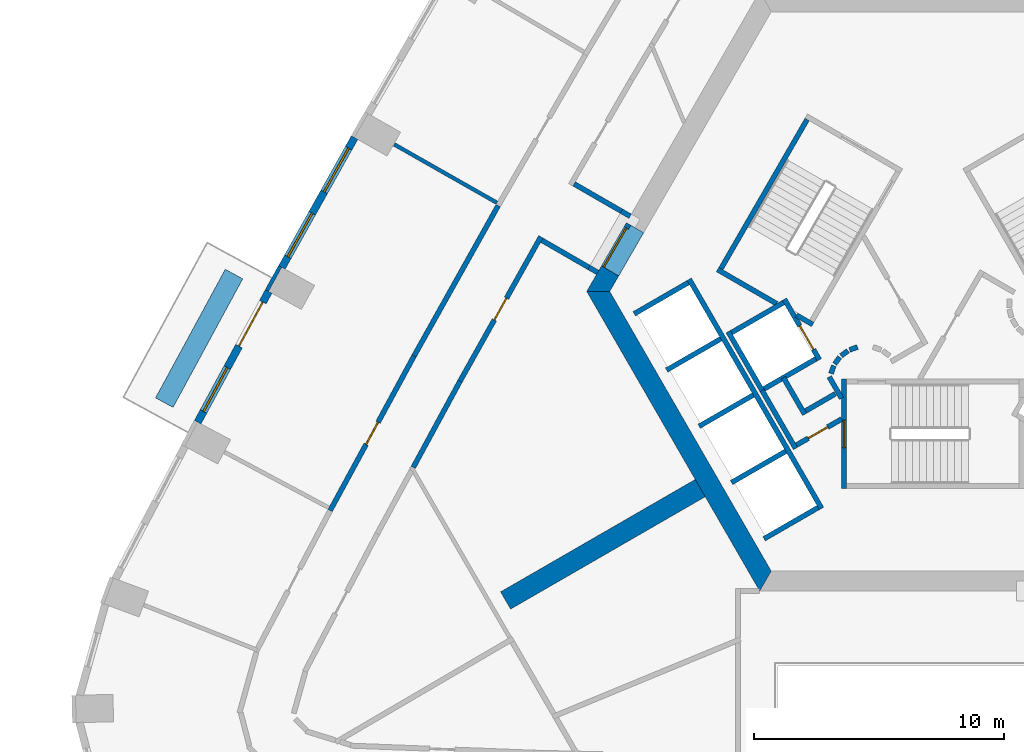
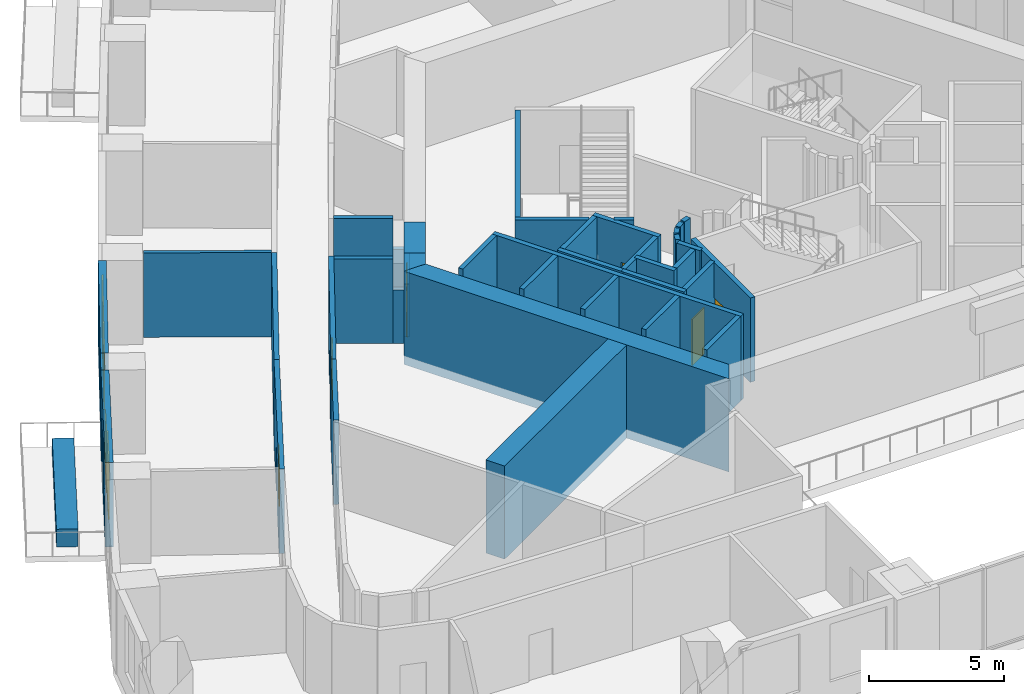
# One storey, part 5 of 14: 41 walls, 7 doors, 3 windows, 10 openings.
"""IFC4 building model written with IfcOpenShell, lengths in metres."""

from ifc_helpers import new_model, si_unit, direction, frame, frame_2d, origin, place, context, subcontext, project, spatial, polyline, rectangle, outline, extrude, material, layer, layer_set, type_object, element, fill, save


model = new_model("IFC4")

# Units and contexts
model_context = context("Model", 3, precision=1e-05, world=origin(), true_north=direction((0.0, 1.0)))
body_context = subcontext(model_context, "Body", "Model", "MODEL_VIEW")
ifc_project = project(units=[si_unit("LENGTHUNIT", "METRE"), si_unit("AREAUNIT", "SQUARE_METRE"), si_unit("VOLUMEUNIT", "CUBIC_METRE"), si_unit("PLANEANGLEUNIT", "RADIAN"), si_unit("MASSUNIT", "GRAM", prefix="KILO")], contexts=[model_context])

# Site, building, storey
site_placement = place(None, origin())
site = spatial("IfcSite", under=ifc_project, at=site_placement, CompositionType="ELEMENT")
building_placement = place(site_placement, origin())
building = spatial("IfcBuilding", under=site, at=building_placement, Name="Entoto Arch Interchange Tower", CompositionType="ELEMENT")
storey_placement = place(building_placement, frame((0.0, 0.0, 159.199951171875)))
storey = spatial("IfcBuildingStorey", under=building, at=storey_placement, Name="L35", CompositionType="ELEMENT", Elevation=159.199951171875)

# Wall
ifc_material_1 = material(Name="Concrete C50/60", Category="concrete")
ifc_layer_1 = layer(ifc_material_1, 0.800048828125)
ifc_layer_set_1 = layer_set([ifc_layer_1], Name="Concrete C50/60")
wall_type_1 = type_object("IfcWallType", Name="Buttress wall 800 C50/60", PredefinedType="SHEAR", material=ifc_layer_set_1)
wall_1_placement = place(storey_placement, frame((-9.31005859375, -5.375, -0.39990234375), z_axis=(0.0, 0.0, 1.0), x_axis=(-0.866017533419, -0.500013631625, 0.0)))
element("IfcWall", 1, at=wall_1_placement, inside=storey, type_object=wall_type_1, Name="Buttress wall SW L35", PredefinedType="SHEAR", context=body_context, shape_type="SweptSolid", body=[
    extrude(rectangle(XDim=8.999755859375, YDim=0.800048828125, at=frame_2d((4.5, 0.0))), origin(), (0.0, 0.0, 1.0), 4.199951171875),
])

# Wall, opening, door
ifc_material_2 = material(Name="Reinforced concrete C40/50", Category="concrete")
ifc_layer_2 = layer(ifc_material_2, 0.199951171875)
ifc_layer_set_2 = layer_set([ifc_layer_2], Name="Reinforced concrete C40/50")
wall_type_2 = type_object("IfcWallType", Name="CORE GAP INFILL WALL", PredefinedType="PARTITIONING", material=ifc_layer_set_2)
wall_2_placement = place(storey_placement, frame((-12.179931640625, 5.201904296875, 0.0), z_axis=(0.0, 0.0, 1.0), x_axis=(-0.50002537861, -0.866010750942, 0.0)))
wall_2 = element("IfcWall", 2, at=wall_2_placement, inside=storey, type_object=wall_type_2, Name="wall:L35:gap3", PredefinedType="PARTITIONING", context=body_context, shape_type="SweptSolid", body=[
    extrude(rectangle(XDim=2.0, YDim=0.199951171875, at=frame_2d((1.0, 0.0))), origin(), (0.0, 0.0, 1.0), 2.400146484375),
])
opening_1_placement = place(wall_2_placement, frame((0.18994140625, 0.0, 0.0)))
opening_1 = element("IfcOpeningElement", 3, at=opening_1_placement, cuts=wall_2, Name="Opening L35-D93", PredefinedType="OPENING", context=body_context, shape_type="SweptSolid", body=[
    extrude(rectangle(XDim=1.800048828125, YDim=2.10009765625, at=frame_2d((0.89990234375, 1.050048828125))), frame((0.0, 0.10986328125, 0.0), z_axis=(0.0, -1.0, 0.0), x_axis=(1.0, 0.0, 0.0)), (0.0, 0.0, 1.0), 0.219970703125),
])
ifc_material_3 = material(Name="Fire-rated Steel S235 door and frame", Category="steel")
door_type_1 = type_object("IfcDoorType", Name="DOOR FD-18 1800x2100", OperationType="DOUBLE_DOOR_SINGLE_SWING", PredefinedType="DOOR", material=ifc_material_3)
door_1_placement = place(opening_1_placement, origin())
door_1 = element("IfcDoor", 4, at=door_1_placement, inside=storey, type_object=door_type_1, Name="door:L35:gap3", OperationType="DOUBLE_DOOR_SINGLE_SWING", OverallHeight=2.10009765625, OverallWidth=1.800048828125, PredefinedType="DOOR", context=body_context, shape_type="SweptSolid", body=[
    extrude(rectangle(XDim=1.800048828125, YDim=2.10009765625, at=frame_2d((0.89990234375, 1.050048828125))), frame((0.0, 0.02490234375, 0.0), z_axis=(0.0, -1.0, 0.0), x_axis=(1.0, 0.0, 0.0)), (0.0, 0.0, 1.0), 0.050048828125),
])
fill(opening_1, door_1)

# Walls
ifc_layer_3 = layer(ifc_material_1, 0.800048828125)
ifc_layer_set_3 = layer_set([ifc_layer_3], Name="Concrete C50/60")
wall_type_3 = type_object("IfcWallType", Name="Core wall 800 C50/60", PredefinedType="SHEAR", material=ifc_layer_set_3)
wall_3_placement = place(storey_placement, frame((0.0, 0.0, -0.39990234375)))
element("IfcWall", 5, at=wall_3_placement, inside=storey, type_object=wall_type_3, Name="Core wall NW L35", PredefinedType="SHEAR", context=body_context, shape_type="SweptSolid", body=[
    extrude(outline(polyline([(-12.574951171875, 3.1201171875), (-13.26708984375, 3.52001953125), (-13.85595703125, 2.5), (-12.93310546875, 2.5), (-12.574951171875, 3.1201171875)])), origin(), (0.0, 0.0, 1.0), 4.199951171875),
])
wall_4_placement = place(storey_placement, frame((0.0, 0.0, 3.60009765625)))
element("IfcWall", 6, at=wall_4_placement, inside=storey, type_object=wall_type_3, Name="Core wall lintel NW L35", PredefinedType="SHEAR", context=body_context, shape_type="SweptSolid", body=[
    extrude(outline(polyline([(-13.26708984375, 3.52001953125), (-12.574951171875, 3.1201171875), (-11.574951171875, 4.85205078125), (-12.26708984375, 5.251953125), (-13.26708984375, 3.52001953125)])), origin(), (0.0, 0.0, 1.0), 0.199951171875),
])
wall_5_placement = place(storey_placement, frame((0.0, 0.0, -0.39990234375)))
element("IfcWall", 7, at=wall_5_placement, inside=storey, type_object=wall_type_3, Name="Core wall SW L35", PredefinedType="SHEAR", context=body_context, shape_type="SweptSolid", body=[
    extrude(outline(polyline([(-13.85595703125, 2.5), (-6.927978515625, -9.5), (-6.466064453125, -8.699951171875), (-12.93310546875, 2.5), (-13.85595703125, 2.5)])), origin(), (0.0, 0.0, 1.0), 4.199951171875),
])

# Wall, opening, door
ifc_material_4 = material(Name="Concrete C40/50", Category="concrete")
ifc_layer_4 = layer(ifc_material_4, 0.199951171875)
ifc_layer_set_4 = layer_set([ifc_layer_4], Name="Concrete C40/50")
wall_type_4 = type_object("IfcWallType", Name="LIFT SHAFT WALL 200", PredefinedType="STANDARD", material=ifc_layer_set_4)
wall_6_placement = place(storey_placement, frame((-5.93994140625, 2.18798828125, 0.0), z_axis=(0.0, 0.0, 1.0), x_axis=(0.49994636267, -0.866056369097, 0.0)))
wall_6 = element("IfcWall", 8, at=wall_6_placement, inside=storey, type_object=wall_type_4, Name="Shaft wall SW1 front", PredefinedType="STANDARD", context=body_context, shape_type="SweptSolid", body=[
    extrude(rectangle(XDim=2.800048828125, YDim=0.199951171875, at=frame_2d((1.39990234375, 0.0))), origin(), (0.0, 0.0, 1.0), 3.800048828125),
])
opening_2_placement = place(wall_6_placement, frame((1.22509765625, 0.0, 0.0)))
opening_2 = element("IfcOpeningElement", 9, at=opening_2_placement, cuts=wall_6, Name="Opening LD-FF2-L35", PredefinedType="OPENING", context=body_context, shape_type="SweptSolid", body=[
    extrude(rectangle(XDim=1.10009765625, YDim=2.10009765625, at=frame_2d((0.550048828125, 1.050048828125))), frame((0.0, 0.10986328125, 0.0), z_axis=(0.0, -1.0, 0.0), x_axis=(1.0, 0.0, 0.0)), (0.0, 0.0, 1.0), 0.219970703125),
])
ifc_material_5 = material(Name="Stainless steel 1.4301 panels", Category="steel")
door_type_2 = type_object("IfcDoorType", Name="LIFT LANDING DOOR LD1 1100x2100", OperationType="SLIDING_TO_LEFT", PredefinedType="DOOR", material=ifc_material_5)
door_2_placement = place(opening_2_placement, origin())
door_2 = element("IfcDoor", 10, at=door_2_placement, inside=storey, type_object=door_type_2, Name="Lift landing door FF2 L35", OperationType="SLIDING_TO_LEFT", OverallHeight=2.10009765625, OverallWidth=1.10009765625, PredefinedType="DOOR", context=body_context, shape_type="SweptSolid", body=[
    extrude(rectangle(XDim=1.10009765625, YDim=2.10009765625, at=frame_2d((0.550048828125, 1.050048828125))), frame((0.0, 0.02490234375, 0.0), z_axis=(0.0, -1.0, 0.0), x_axis=(1.0, 0.0, 0.0)), (0.0, 0.0, 1.0), 0.050048828125),
])
fill(opening_2, door_2)

# Walls
wall_7_placement = place(storey_placement, frame((-8.19189453125, 0.887939453125, 0.0), z_axis=(0.0, 0.0, 1.0), x_axis=(0.49994636267, -0.866056369097, 0.0)))
element("IfcWall", 11, at=wall_7_placement, inside=storey, type_object=wall_type_4, Name="Shaft wall SW1 back", PredefinedType="STANDARD", context=body_context, shape_type="SweptSolid", body=[
    extrude(rectangle(XDim=2.800048828125, YDim=0.199951171875, at=frame_2d((1.39990234375, 0.0))), origin(), (0.0, 0.0, 1.0), 3.800048828125),
])
for number, where, z_axis, x_axis, name in (
    (12, (-5.97705078125, 2.052001953125, 0.0), (0.0, 0.0, 1.0), (-0.865973769406, -0.500089422704, 0.0), "Shaft wall SW1 cross 1"),
    (13, (-4.677001953125, -0.199951171875, 0.0), (0.0, 0.0, 1.0), (-0.865973769406, -0.500089422704, 0.0), "Shaft wall SW1 cross 2"),
):
    element("IfcWall", number, at=place(storey_placement, frame(where, z_axis=z_axis, x_axis=x_axis)), inside=storey, type_object=wall_type_4, Name=name, PredefinedType="STANDARD", context=body_context, shape_type="SweptSolid", body=[
        extrude(rectangle(XDim=2.3994140625, YDim=0.199951171875, at=frame_2d((1.19970703125, 0.0))), origin(), (0.0, 0.0, 1.0), 3.800048828125),
    ])
wall_8_placement = place(storey_placement, frame((-9.7509765625, 2.989990234375, 0.0), z_axis=(0.0, 0.0, 1.0), x_axis=(0.50000090737, -0.866024879913, 0.0)))
element("IfcWall", 14, at=wall_8_placement, inside=storey, type_object=wall_type_4, Name="Shaft wall SW3 front", PredefinedType="STANDARD", context=body_context, shape_type="SweptSolid", body=[
    extrude(rectangle(XDim=10.60009765625, YDim=0.199951171875, at=frame_2d((5.300048828125, 0.0))), origin(), (0.0, 0.0, 1.0), 3.800048828125),
])
wall_9_placement = place(storey_placement, frame((-9.7880859375, 2.85302734375, 0.0), z_axis=(0.0, 0.0, 1.0), x_axis=(-0.865998541277, -0.500046524342, 0.0)))
element("IfcWall", 15, at=wall_9_placement, inside=storey, type_object=wall_type_4, Name="Shaft wall SW3 cross 1", PredefinedType="STANDARD", context=body_context, shape_type="SweptSolid", body=[
    extrude(rectangle(XDim=2.499755859375, YDim=0.199951171875, at=frame_2d((1.25, 0.0))), origin(), (0.0, 0.0, 1.0), 3.800048828125),
])
for number, where, z_axis, x_axis, name in (
    (16, (-8.488037109375, 0.60205078125, 0.0), (0.0, 0.0, 1.0), (-0.866022959057, -0.500004234368, 0.0), "Shaft wall SW3 cross 2"),
    (17, (-7.18798828125, -1.64990234375, 0.0), (0.0, 0.0, 1.0), (-0.866022959057, -0.500004234368, 0.0), "Shaft wall SW3 cross 3"),
    (18, (-5.887939453125, -3.902099609375, 0.0), (0.0, 0.0, 1.0), (-0.866022959057, -0.500004234368, 0.0), "Shaft wall SW3 cross 4"),
    (19, (-4.587890625, -6.153076171875, 0.0), (0.0, 0.0, 1.0), (-0.866022959057, -0.500004234368, 0.0), "Shaft wall SW3 cross 5"),
):
    element("IfcWall", number, at=place(storey_placement, frame(where, z_axis=z_axis, x_axis=x_axis)), inside=storey, type_object=wall_type_4, Name=name, PredefinedType="STANDARD", context=body_context, shape_type="SweptSolid", body=[
        extrude(rectangle(XDim=2.5, YDim=0.199951171875, at=frame_2d((1.25, 0.0))), origin(), (0.0, 0.0, 1.0), 3.800048828125),
    ])
ifc_material_6 = material(Name="Gypsum board partition on steel studs", Category="steel")
ifc_layer_5 = layer(ifc_material_6, 0.14990234375)
ifc_layer_set_5 = layer_set([ifc_layer_5], Name="Gypsum board partition on steel studs")
wall_type_5 = type_object("IfcWallType", Name="PARTITION 150", PredefinedType="PARTITIONING", material=ifc_layer_set_5)
wall_10_placement = place(storey_placement, frame((-17.450927734375, 6.051025390625, 0.0), z_axis=(0.0, 0.0, 1.0), x_axis=(-0.869409691741, 0.494091882049, 0.0)))
element("IfcWall", 20, at=wall_10_placement, inside=storey, type_object=wall_type_5, Name="wall:L35:p134", PredefinedType="PARTITIONING", context=body_context, shape_type="SweptSolid", body=[
    extrude(rectangle(XDim=4.729736328125, YDim=0.14990234375, at=frame_2d((2.36474609375, 0.0))), origin(), (0.0, 0.0, 1.0), 3.800048828125),
])
ifc_layer_6 = layer(ifc_material_6, 0.199951171875)
ifc_layer_set_6 = layer_set([ifc_layer_6], Name="Gypsum board partition on steel studs")
wall_type_6 = type_object("IfcWallType", Name="PARTITION 200", PredefinedType="PARTITIONING", material=ifc_layer_set_6)
wall_11_placement = place(storey_placement, frame((-14.35888671875, 6.805908203125, 0.0), z_axis=(0.0, 0.0, 1.0), x_axis=(0.866155875717, -0.499773947861, 0.0)))
element("IfcWall", 21, at=wall_11_placement, inside=storey, type_object=wall_type_6, Name="wall:L35:p004", PredefinedType="PARTITIONING", context=body_context, shape_type="SweptSolid", body=[
    extrude(rectangle(XDim=2.18896484375, YDim=0.199951171875, at=frame_2d((1.094482421875, 0.0))), origin(), (0.0, 0.0, 1.0), 3.800048828125),
])
wall_12_placement = place(storey_placement, frame((-18.929931640625, -1.094970703125, 0.0), z_axis=(0.0, 0.0, 1.0), x_axis=(-0.476854303058, -0.878982351162, 0.0)))
element("IfcWall", 22, at=wall_12_placement, inside=storey, type_object=wall_type_6, Name="wall:L35:p028", PredefinedType="PARTITIONING", context=body_context, shape_type="SweptSolid", body=[
    extrude(rectangle(XDim=3.923828125, YDim=0.199951171875, at=frame_2d((1.9619140625, 0.0))), origin(), (0.0, 0.0, 1.0), 3.800048828125),
])
wall_13_placement = place(storey_placement, frame((-13.4169921875, 3.260009765625, 0.0), z_axis=(0.0, 0.0, 1.0), x_axis=(-0.866398669086, 0.499352927503, 0.0)))
element("IfcWall", 23, at=wall_13_placement, inside=storey, type_object=wall_type_6, Name="wall:L35:p029", PredefinedType="PARTITIONING", context=body_context, shape_type="SweptSolid", body=[
    extrude(rectangle(XDim=0.400390625, YDim=0.199951171875, at=frame_2d((0.2001953125, 0.0))), origin(), (0.0, 0.0, 1.0), 2.400146484375),
])

# Wall, opening, door
wall_14_placement = place(storey_placement, frame((-15.69189453125, 4.68896484375, 0.0), z_axis=(0.0, 0.0, 1.0), x_axis=(-0.48849233301, -0.872568186786, 0.0)))
wall_14 = element("IfcWall", 24, at=wall_14_placement, inside=storey, type_object=wall_type_6, Name="wall:L35:p030", PredefinedType="PARTITIONING", context=body_context, shape_type="SweptSolid", body=[
    extrude(rectangle(XDim=6.628662109375, YDim=0.199951171875, at=frame_2d((3.314453125, 0.0))), origin(), (0.0, 0.0, 1.0), 3.800048828125),
])
opening_3_placement = place(wall_14_placement, frame((2.81396484375, 0.0, 0.0)))
opening_3 = element("IfcOpeningElement", 25, at=opening_3_placement, cuts=wall_14, Name="Opening L35-D24", PredefinedType="OPENING", context=body_context, shape_type="SweptSolid", body=[
    extrude(rectangle(XDim=1.0, YDim=2.10009765625, at=frame_2d((0.5, 1.050048828125))), frame((0.0, 0.10986328125, 0.0), z_axis=(0.0, -1.0, 0.0), x_axis=(1.0, 0.0, 0.0)), (0.0, 0.0, 1.0), 0.219970703125),
])
ifc_material_7 = material(Name="Timber door leaf in Steel S235 frame", Category="steel")
door_type_3 = type_object("IfcDoorType", Name="DOOR DS-10 1000x2100", OperationType="SINGLE_SWING_LEFT", PredefinedType="DOOR", material=ifc_material_7)
door_3_placement = place(opening_3_placement, origin())
door_3 = element("IfcDoor", 26, at=door_3_placement, inside=storey, type_object=door_type_3, Name="door:L35:24", OperationType="SINGLE_SWING_LEFT", OverallHeight=2.10009765625, OverallWidth=1.0, PredefinedType="DOOR", context=body_context, shape_type="SweptSolid", body=[
    extrude(rectangle(XDim=1.0, YDim=2.10009765625, at=frame_2d((0.5, 1.050048828125))), frame((0.0, 0.02490234375, 0.0), z_axis=(0.0, -1.0, 0.0), x_axis=(1.0, 0.0, 0.0)), (0.0, 0.0, 1.0), 0.050048828125),
])
fill(opening_3, door_3)

wall_15_placement = place(storey_placement, frame((-24.1298828125, -6.27490234375, 0.0), z_axis=(0.0, 0.0, 1.0), x_axis=(0.476981750532, 0.878913198023, 0.0)))
wall_15 = element("IfcWall", 27, at=wall_15_placement, inside=storey, type_object=wall_type_6, Name="wall:L35:p064", PredefinedType="PARTITIONING", context=body_context, shape_type="SweptSolid", body=[
    extrude(rectangle(XDim=7.046142578125, YDim=0.199951171875, at=frame_2d((3.52294921875, 0.0))), origin(), (0.0, 0.0, 1.0), 3.800048828125),
])
opening_4_placement = place(wall_15_placement, frame((3.02294921875, 0.0, 0.0)))
opening_4 = element("IfcOpeningElement", 28, at=opening_4_placement, cuts=wall_15, Name="Opening L35-D13", PredefinedType="OPENING", context=body_context, shape_type="SweptSolid", body=[
    extrude(rectangle(XDim=1.0, YDim=2.10009765625, at=frame_2d((0.5, 1.050048828125))), frame((0.0, 0.10986328125, 0.0), z_axis=(0.0, -1.0, 0.0), x_axis=(1.0, 0.0, 0.0)), (0.0, 0.0, 1.0), 0.219970703125),
])
door_4_placement = place(opening_4_placement, origin())
door_4 = element("IfcDoor", 29, at=door_4_placement, inside=storey, type_object=door_type_3, Name="door:L35:13", OperationType="SINGLE_SWING_RIGHT", OverallHeight=2.10009765625, OverallWidth=1.0, PredefinedType="DOOR", context=body_context, shape_type="SweptSolid", body=[
    extrude(rectangle(XDim=1.0, YDim=2.10009765625, at=frame_2d((0.5, 1.050048828125))), frame((0.0, 0.02490234375, 0.0), z_axis=(0.0, -1.0, 0.0), x_axis=(1.0, 0.0, 0.0)), (0.0, 0.0, 1.0), 0.050048828125),
])
fill(opening_4, door_4)

# Walls
wall_16_placement = place(storey_placement, frame((-20.76904296875, -0.08203125, 0.0), z_axis=(0.0, 0.0, 1.0), x_axis=(0.488387759141, 0.872626722443, 0.0)))
element("IfcWall", 30, at=wall_16_placement, inside=storey, type_object=wall_type_6, Name="wall:L35:p065", PredefinedType="PARTITIONING", context=body_context, shape_type="SweptSolid", body=[
    extrude(rectangle(XDim=6.896484375, YDim=0.199951171875, at=frame_2d((3.4482421875, 0.0))), origin(), (0.0, 0.0, 1.0), 3.800048828125),
])
wall_17_placement = place(storey_placement, frame((-3.89990234375, -1.59912109375, 0.0), z_axis=(0.0, 0.0, 1.0), x_axis=(-0.865969445389, -0.500096910261, 0.0)))
element("IfcWall", 31, at=wall_17_placement, inside=storey, type_object=wall_type_6, Name="wall:L35:p080", PredefinedType="PARTITIONING", context=body_context, shape_type="SweptSolid", body=[
    extrude(rectangle(XDim=1.373291015625, YDim=0.199951171875, at=frame_2d((0.6865234375, 0.0))), origin(), (0.0, 0.0, 1.0), 3.800048828125),
])
wall_18_placement = place(storey_placement, frame((-5.1259765625, -2.422119140625, 0.0), z_axis=(0.0, 0.0, 1.0), x_axis=(-0.500062241894, 0.865989465428, 0.0)))
element("IfcWall", 32, at=wall_18_placement, inside=storey, type_object=wall_type_6, Name="wall:L35:p081", PredefinedType="PARTITIONING", context=body_context, shape_type="SweptSolid", body=[
    extrude(rectangle(XDim=1.699951171875, YDim=0.199951171875, at=frame_2d((0.85009765625, 0.0))), origin(), (0.0, 0.0, 1.0), 3.800048828125),
])

# Wall, opening, door
wall_19_placement = place(storey_placement, frame((-3.64990234375, -2.610107421875, 0.0), z_axis=(0.0, 0.0, 1.0), x_axis=(-0.866072462134, -0.499918483688, 0.0)))
wall_19 = element("IfcWall", 33, at=wall_19_placement, inside=storey, type_object=wall_type_6, Name="wall:L35:p082", PredefinedType="PARTITIONING", context=body_context, shape_type="SweptSolid", body=[
    extrude(rectangle(XDim=2.084228515625, YDim=0.199951171875, at=frame_2d((1.0419921875, 0.0))), origin(), (0.0, 0.0, 1.0), 3.800048828125),
])
opening_5_placement = place(wall_19_placement, frame((0.64208984375, 0.0, 0.0)))
opening_5 = element("IfcOpeningElement", 34, at=opening_5_placement, cuts=wall_19, Name="Opening L35-D33", PredefinedType="OPENING", context=body_context, shape_type="SweptSolid", body=[
    extrude(rectangle(XDim=0.89990234375, YDim=2.10009765625, at=frame_2d((0.449951171875, 1.050048828125))), frame((0.0, 0.10986328125, 0.0), z_axis=(0.0, -1.0, 0.0), x_axis=(1.0, 0.0, 0.0)), (0.0, 0.0, 1.0), 0.219970703125),
])
door_type_4 = type_object("IfcDoorType", Name="DOOR DS-09 900x2100", OperationType="SINGLE_SWING_LEFT", PredefinedType="DOOR", material=ifc_material_7)
door_5_placement = place(opening_5_placement, origin())
door_5 = element("IfcDoor", 35, at=door_5_placement, inside=storey, type_object=door_type_4, Name="door:L35:33", OperationType="SINGLE_SWING_LEFT", OverallHeight=2.10009765625, OverallWidth=0.89990234375, PredefinedType="DOOR", context=body_context, shape_type="SweptSolid", body=[
    extrude(rectangle(XDim=0.89990234375, YDim=2.10009765625, at=frame_2d((0.449951171875, 1.050048828125))), frame((0.0, 0.02490234375, 0.0), z_axis=(0.0, -1.0, 0.0), x_axis=(1.0, 0.0, 0.0)), (0.0, 0.0, 1.0), 0.050048828125),
])
fill(opening_5, door_5)

# Walls
wall_20_placement = place(storey_placement, frame((-5.491943359375, -3.7880859375, 0.0), z_axis=(0.0, 0.0, 1.0), x_axis=(-0.500008949224, 0.866020236886, 0.0)))
element("IfcWall", 36, at=wall_20_placement, inside=storey, type_object=wall_type_6, Name="wall:L35:p083", PredefinedType="PARTITIONING", context=body_context, shape_type="SweptSolid", body=[
    extrude(rectangle(XDim=2.68017578125, YDim=0.199951171875, at=frame_2d((1.340087890625, 0.0))), origin(), (0.0, 0.0, 1.0), 3.800048828125),
])
wall_21_placement = place(storey_placement, frame((-4.14501953125, -0.919921875, 0.0), z_axis=(0.0, 0.0, 1.0), x_axis=(0.499743786207, -0.866173278362, 0.0)))
element("IfcWall", 37, at=wall_21_placement, inside=storey, type_object=wall_type_6, Name="wall:L35:p084", PredefinedType="PARTITIONING", context=body_context, shape_type="SweptSolid", body=[
    extrude(rectangle(XDim=0.99072265625, YDim=0.199951171875, at=frame_2d((0.495361328125, 0.0))), origin(), (0.0, 0.0, 1.0), 3.800048828125),
])
wall_22_placement = place(storey_placement, frame((-3.011962890625, 0.27294921875, 0.0), z_axis=(0.0, 0.0, 1.0), x_axis=(-0.942280615813, -0.334824194261, 0.0)))
element("IfcWall", 38, at=wall_22_placement, inside=storey, type_object=wall_type_6, Name="wall:L35:p100", PredefinedType="PARTITIONING", context=body_context, shape_type="SweptSolid", body=[
    extrude(rectangle(XDim=0.337646484375, YDim=0.199951171875, at=frame_2d((0.1689453125, 0.0))), origin(), (0.0, 0.0, 1.0), 3.800048828125),
])
wall_23_placement = place(storey_placement, frame((-3.39697265625, 0.1240234375, 0.0), z_axis=(0.0, 0.0, 1.0), x_axis=(-0.804311165252, -0.594208338422, 0.0)))
element("IfcWall", 39, at=wall_23_placement, inside=storey, type_object=wall_type_6, Name="wall:L35:p101", PredefinedType="PARTITIONING", context=body_context, shape_type="SweptSolid", body=[
    extrude(rectangle(XDim=0.338134765625, YDim=0.199951171875, at=frame_2d((0.1689453125, 0.0))), origin(), (0.0, 0.0, 1.0), 3.800048828125),
])
wall_24_placement = place(storey_placement, frame((-3.722900390625, -0.131103515625, 0.0), z_axis=(0.0, 0.0, 1.0), x_axis=(-0.594675113454, -0.803966112121, 0.0)))
element("IfcWall", 40, at=wall_24_placement, inside=storey, type_object=wall_type_6, Name="wall:L35:p102", PredefinedType="PARTITIONING", context=body_context, shape_type="SweptSolid", body=[
    extrude(rectangle(XDim=0.33837890625, YDim=0.199951171875, at=frame_2d((0.169189453125, 0.0))), origin(), (0.0, 0.0, 1.0), 3.800048828125),
])
wall_25_placement = place(storey_placement, frame((-3.9599609375, -0.469970703125, 0.0), z_axis=(0.0, 0.0, 1.0), x_axis=(-0.334824194261, -0.942280615813, 0.0)))
element("IfcWall", 41, at=wall_25_placement, inside=storey, type_object=wall_type_6, Name="wall:L35:p103", PredefinedType="PARTITIONING", context=body_context, shape_type="SweptSolid", body=[
    extrude(rectangle(XDim=0.337646484375, YDim=0.199951171875, at=frame_2d((0.1689453125, 0.0))), origin(), (0.0, 0.0, 1.0), 3.800048828125),
])
wall_26_placement = place(storey_placement, frame((-12.462890625, 5.7119140625, 0.0), z_axis=(0.0, 0.0, 1.0), x_axis=(0.865788603161, -0.500409926597, 0.0)))
element("IfcWall", 42, at=wall_26_placement, inside=storey, type_object=wall_type_6, Name="wall:L35:p004", PredefinedType="PARTITIONING", context=body_context, shape_type="SweptSolid", body=[
    extrude(rectangle(XDim=0.399658203125, YDim=0.199951171875, at=frame_2d((0.19970703125, 0.0))), origin(), (0.0, 0.0, 1.0), 2.400146484375),
])
wall_27_placement = place(storey_placement, frame((-13.763916015625, 3.4599609375, 0.0), z_axis=(0.0, 0.0, 1.0), x_axis=(-0.865872609263, 0.500264554538, 0.0)))
element("IfcWall", 43, at=wall_27_placement, inside=storey, type_object=wall_type_6, Name="wall:L35:p029", PredefinedType="PARTITIONING", context=body_context, shape_type="SweptSolid", body=[
    extrude(rectangle(XDim=2.182861328125, YDim=0.199951171875, at=frame_2d((1.09130859375, 0.0))), origin(), (0.0, 0.0, 1.0), 3.800048828125),
])
ifc_material_8 = material(Name="Board-marked precast concrete C50/60", Category="concrete")
ifc_layer_7 = layer(ifc_material_8, 0.800048828125)
ifc_layer_set_7 = layer_set([ifc_layer_7], Name="Board-marked precast concrete C50/60")
wall_type_7 = type_object("IfcWallType", Name="PLANTER RC 800 Vachellia abyssinica", PredefinedType="STANDARD", material=ifc_layer_set_7)
wall_28_placement = place(storey_placement, frame((-27.97900390625, 3.196044921875, 0.0), z_axis=(0.0, 0.0, 1.0), x_axis=(-0.476806707813, -0.87900817026, 0.0)))
element("IfcWall", 44, at=wall_28_placement, inside=storey, type_object=wall_type_7, Name="Planter NW-06 L35", PredefinedType="STANDARD", context=body_context, shape_type="SweptSolid", body=[
    extrude(rectangle(XDim=5.857666015625, YDim=0.800048828125, at=frame_2d((2.9287109375, 0.0))), origin(), (0.0, 0.0, 1.0), 0.800048828125),
])

# Wall, opening, door
ifc_layer_8 = layer(ifc_material_4, 0.199951171875)
ifc_layer_set_8 = layer_set([ifc_layer_8], Name="Concrete C40/50")
wall_type_8 = type_object("IfcWallType", Name="STAIR ENCLOSURE WALL 200", PredefinedType="STANDARD", material=ifc_layer_set_8)
wall_29_placement = place(storey_placement, frame((-3.550048828125, -1.0, 0.0), z_axis=(0.0, 0.0, 1.0), x_axis=(0.0, -1.0, 0.0)))
wall_29 = element("IfcWall", 45, at=wall_29_placement, inside=storey, type_object=wall_type_8, Name="Stair wall ST-S near", PredefinedType="STANDARD", context=body_context, shape_type="SweptSolid", body=[
    extrude(rectangle(XDim=4.39990234375, YDim=0.199951171875, at=frame_2d((2.199951171875, 0.0))), origin(), (0.0, 0.0, 1.0), 3.800048828125),
])
opening_6_placement = place(wall_29_placement, frame((1.64990234375, 0.0, 0.0)))
opening_6 = element("IfcOpeningElement", 46, at=opening_6_placement, cuts=wall_29, Name="Opening SD-ST-S-L35-E", PredefinedType="OPENING", context=body_context, shape_type="SweptSolid", body=[
    extrude(rectangle(XDim=1.10009765625, YDim=2.199951171875, at=frame_2d((0.550048828125, 1.10009765625))), frame((0.0, 0.10986328125, 0.0), z_axis=(0.0, -1.0, 0.0), x_axis=(1.0, 0.0, 0.0)), (0.0, 0.0, 1.0), 0.219970703125),
])
ifc_material_9 = material(Name="Steel S235", Category="steel")
door_type_5 = type_object("IfcDoorType", Name="STAIR DOOR SD1 1100x2200", OperationType="SINGLE_SWING_LEFT", PredefinedType="DOOR", material=ifc_material_9)
door_6_placement = place(opening_6_placement, origin())
door_6 = element("IfcDoor", 47, at=door_6_placement, inside=storey, type_object=door_type_5, Name="Stair door ST-S L35 end", OperationType="SINGLE_SWING_LEFT", OverallHeight=2.199951171875, OverallWidth=1.10009765625, PredefinedType="DOOR", context=body_context, shape_type="SweptSolid", body=[
    extrude(rectangle(XDim=1.10009765625, YDim=2.199951171875, at=frame_2d((0.550048828125, 1.10009765625))), frame((0.0, 0.02490234375, 0.0), z_axis=(0.0, -1.0, 0.0), x_axis=(1.0, 0.0, 0.0)), (0.0, 0.0, 1.0), 0.050048828125),
])
fill(opening_6, door_6)

# Walls
wall_30_placement = place(storey_placement, frame((-6.25, 2.010009765625, 0.0), z_axis=(0.0, 0.0, 1.0), x_axis=(-0.86611865017, 0.499838457731, 0.0)))
element("IfcWall", 48, at=wall_30_placement, inside=storey, type_object=wall_type_8, Name="Stair wall ST-NW far", PredefinedType="STANDARD", context=body_context, shape_type="SweptSolid", body=[
    extrude(rectangle(XDim=2.73291015625, YDim=0.199951171875, at=frame_2d((1.366455078125, 0.0))), origin(), (0.0, 0.0, 1.0), 3.800048828125),
])
wall_31_placement = place(storey_placement, frame((-4.805908203125, 1.176025390625, 0.0), z_axis=(0.0, 0.0, 1.0), x_axis=(-0.866558586415, 0.499075361355, 0.0)))
element("IfcWall", 49, at=wall_31_placement, inside=storey, type_object=wall_type_8, Name="Stair wall ST-NW far return", PredefinedType="STANDARD", context=body_context, shape_type="SweptSolid", body=[
    extrude(rectangle(XDim=0.75146484375, YDim=0.199951171875, at=frame_2d((0.375732421875, 0.0))), origin(), (0.0, 0.0, 1.0), 3.800048828125),
])
wall_32_placement = place(storey_placement, frame((-5.030029296875, 9.387939453125, 0.0), z_axis=(0.0, 0.0, 1.0), x_axis=(-0.499978703459, -0.866037698999, 0.0)))
element("IfcWall", 50, at=wall_32_placement, inside=storey, type_object=wall_type_8, Name="Stair wall ST-NW back", PredefinedType="STANDARD", context=body_context, shape_type="SweptSolid", body=[
    extrude(rectangle(XDim=6.900146484375, YDim=0.199951171875, at=frame_2d((3.4501953125, 0.0))), origin(), (0.0, 0.0, 1.0), 3.800048828125),
])

# Wall, openings, windows
ifc_material_10 = material(Name="Welded tuff (ignimbrite) cladding, warm buff", Category="masonry")
ifc_layer_9 = layer(ifc_material_10, 0.300048828125)
ifc_layer_set_9 = layer_set([ifc_layer_9], Name="Welded tuff (ignimbrite) cladding, warm buff")
wall_type_9 = type_object("IfcWallType", Name="STONE INFILL WALL 300", PredefinedType="STANDARD", material=ifc_layer_set_9)
wall_33_placement = place(storey_placement, frame((-23.153076171875, 8.660888671875, 0.0), z_axis=(0.0, 0.0, 1.0), x_axis=(-0.488354983501, -0.872645065356, 0.0)))
wall_33 = element("IfcWall", 51, at=wall_33_placement, inside=storey, type_object=wall_type_9, Name="Facade wall NW-05 L35", PredefinedType="STANDARD", context=body_context, shape_type="SweptSolid", body=[
    extrude(rectangle(XDim=5.95654296875, YDim=0.300048828125, at=frame_2d((2.978271484375, 0.0))), origin(), (0.0, 0.0, 1.0), 3.800048828125),
])
opening_7_placement = place(wall_33_placement, frame((0.489013671875, 0.0, 0.89990234375)))
opening_7 = element("IfcOpeningElement", 52, at=opening_7_placement, cuts=wall_33, Name="Opening WO-C", PredefinedType="OPENING", context=body_context, shape_type="SweptSolid", body=[
    extrude(rectangle(XDim=2.0, YDim=2.60009765625, at=frame_2d((1.0, 1.300048828125))), frame((0.0, 0.16015625, 0.0), z_axis=(0.0, -1.0, 0.0), x_axis=(1.0, 0.0, 0.0)), (0.0, 0.0, 1.0), 0.320068359375),
])
opening_8_placement = place(wall_33_placement, frame((3.467041015625, 0.0, 0.89990234375)))
opening_8 = element("IfcOpeningElement", 53, at=opening_8_placement, cuts=wall_33, Name="Opening WO-C", PredefinedType="OPENING", context=body_context, shape_type="SweptSolid", body=[
    extrude(rectangle(XDim=2.0, YDim=2.60009765625, at=frame_2d((1.0, 1.300048828125))), frame((0.0, 0.16015625, 0.0), z_axis=(0.0, -1.0, 0.0), x_axis=(1.0, 0.0, 0.0)), (0.0, 0.0, 1.0), 0.320068359375),
])
ifc_material_11 = material(Name="Clear glass, low-e double glazed", Category="glass")
window_type = type_object("IfcWindowType", Name="WINDOW WO-C 2000x2600", PartitioningType="DOUBLE_PANEL_VERTICAL", PredefinedType="WINDOW", material=ifc_material_11)
window_1_placement = place(opening_7_placement, origin())
window_1 = element("IfcWindow", 54, at=window_1_placement, inside=storey, type_object=window_type, Name="Window WO-C NW-05 L35", OverallHeight=2.60009765625, OverallWidth=2.0, PartitioningType="SINGLE_PANEL", PredefinedType="WINDOW", context=body_context, shape_type="SweptSolid", body=[
    extrude(rectangle(XDim=2.0, YDim=2.60009765625, at=frame_2d((1.0, 1.300048828125))), frame((0.0, 0.030029296875, 0.0), z_axis=(0.0, -1.0, 0.0), x_axis=(1.0, 0.0, 0.0)), (0.0, 0.0, 1.0), 0.06005859375),
])
fill(opening_7, window_1)
window_2_placement = place(opening_8_placement, origin())
window_2 = element("IfcWindow", 55, at=window_2_placement, inside=storey, type_object=window_type, Name="Window WO-C NW-05 L35", OverallHeight=2.60009765625, OverallWidth=2.0, PartitioningType="SINGLE_PANEL", PredefinedType="WINDOW", context=body_context, shape_type="SweptSolid", body=[
    extrude(rectangle(XDim=2.0, YDim=2.60009765625, at=frame_2d((1.0, 1.300048828125))), frame((0.0, 0.030029296875, 0.0), z_axis=(0.0, -1.0, 0.0), x_axis=(1.0, 0.0, 0.0)), (0.0, 0.0, 1.0), 0.06005859375),
])
fill(opening_8, window_2)

# Wall, openings, door, window
wall_34_placement = place(storey_placement, frame((-26.592041015625, 2.5009765625, 0.0), z_axis=(0.0, 0.0, 1.0), x_axis=(-0.476970695077, -0.878919197673, 0.0)))
wall_34 = element("IfcWall", 56, at=wall_34_placement, inside=storey, type_object=wall_type_9, Name="Facade wall NW-06 L35", PredefinedType="STANDARD", context=body_context, shape_type="SweptSolid", body=[
    extrude(rectangle(XDim=5.95849609375, YDim=0.300048828125, at=frame_2d((2.979248046875, 0.0))), origin(), (0.0, 0.0, 1.0), 3.800048828125),
])
opening_9_placement = place(wall_34_placement, frame((0.489990234375, 0.0, 0.0)))
opening_9 = element("IfcOpeningElement", 57, at=opening_9_placement, cuts=wall_34, Name="Opening DB-NW-06-L35", PredefinedType="OPENING", context=body_context, shape_type="SweptSolid", body=[
    extrude(rectangle(XDim=2.0, YDim=2.39990234375, at=frame_2d((1.0, 1.199951171875))), frame((0.0, 0.16015625, 0.0), z_axis=(0.0, -1.0, 0.0), x_axis=(1.0, 0.0, 0.0)), (0.0, 0.0, 1.0), 0.320068359375),
])
opening_10_placement = place(wall_34_placement, frame((3.468994140625, 0.0, 0.89990234375)))
opening_10 = element("IfcOpeningElement", 58, at=opening_10_placement, cuts=wall_34, Name="Opening WO-C", PredefinedType="OPENING", context=body_context, shape_type="SweptSolid", body=[
    extrude(rectangle(XDim=2.0, YDim=2.60009765625, at=frame_2d((1.0, 1.300048828125))), frame((0.0, 0.16015625, 0.0), z_axis=(0.0, -1.0, 0.0), x_axis=(1.0, 0.0, 0.0)), (0.0, 0.0, 1.0), 0.320068359375),
])
ifc_material_12 = material(Name="Aluminium and clear glass, anodised", Category="aluminium")
door_type_6 = type_object("IfcDoorType", Name="BALCONY DOOR DB 2000x2400", OperationType="SLIDING_TO_LEFT", PredefinedType="DOOR", material=ifc_material_12)
door_7_placement = place(opening_9_placement, origin())
door_7 = element("IfcDoor", 59, at=door_7_placement, inside=storey, type_object=door_type_6, Name="Balcony door NW-06 L35", OperationType="SLIDING_TO_LEFT", OverallHeight=2.39990234375, OverallWidth=2.0, PredefinedType="DOOR", context=body_context, shape_type="SweptSolid", body=[
    extrude(rectangle(XDim=2.0, YDim=2.39990234375, at=frame_2d((1.0, 1.199951171875))), frame((0.0, 0.02490234375, 0.0), z_axis=(0.0, -1.0, 0.0), x_axis=(1.0, 0.0, 0.0)), (0.0, 0.0, 1.0), 0.050048828125),
])
fill(opening_9, door_7)
window_3_placement = place(opening_10_placement, origin())
window_3 = element("IfcWindow", 60, at=window_3_placement, inside=storey, type_object=window_type, Name="Window WO-C NW-06 L35", OverallHeight=2.60009765625, OverallWidth=2.0, PartitioningType="SINGLE_PANEL", PredefinedType="WINDOW", context=body_context, shape_type="SweptSolid", body=[
    extrude(rectangle(XDim=2.0, YDim=2.60009765625, at=frame_2d((1.0, 1.300048828125))), frame((0.0, 0.030029296875, 0.0), z_axis=(0.0, -1.0, 0.0), x_axis=(1.0, 0.0, 0.0)), (0.0, 0.0, 1.0), 0.06005859375),
])
fill(opening_10, window_3)

# Wall
ifc_layer_10 = layer(ifc_material_10, 0.14990234375)
ifc_layer_set_10 = layer_set([ifc_layer_10], Name="Welded tuff (ignimbrite) cladding, warm buff")
wall_type_10 = type_object("IfcWallType", Name="STONE PIER CLADDING 150", PredefinedType="STANDARD", material=ifc_layer_set_10)
wall_35_placement = place(storey_placement, frame((-26.131103515625, 3.501953125, 0.0), z_axis=(0.0, 0.0, 1.0), x_axis=(-0.481680143513, -0.87634709981, 0.0)))
element("IfcWall", 61, at=wall_35_placement, inside=storey, type_object=wall_type_10, Name="Stone pier NW06 L35", PredefinedType="STANDARD", context=body_context, shape_type="SweptSolid", body=[
    extrude(rectangle(XDim=1.099853515625, YDim=0.14990234375, at=frame_2d((0.5498046875, 0.0))), origin(), (0.0, 0.0, 1.0), 3.800048828125),
])

save(model, "model.ifc")
